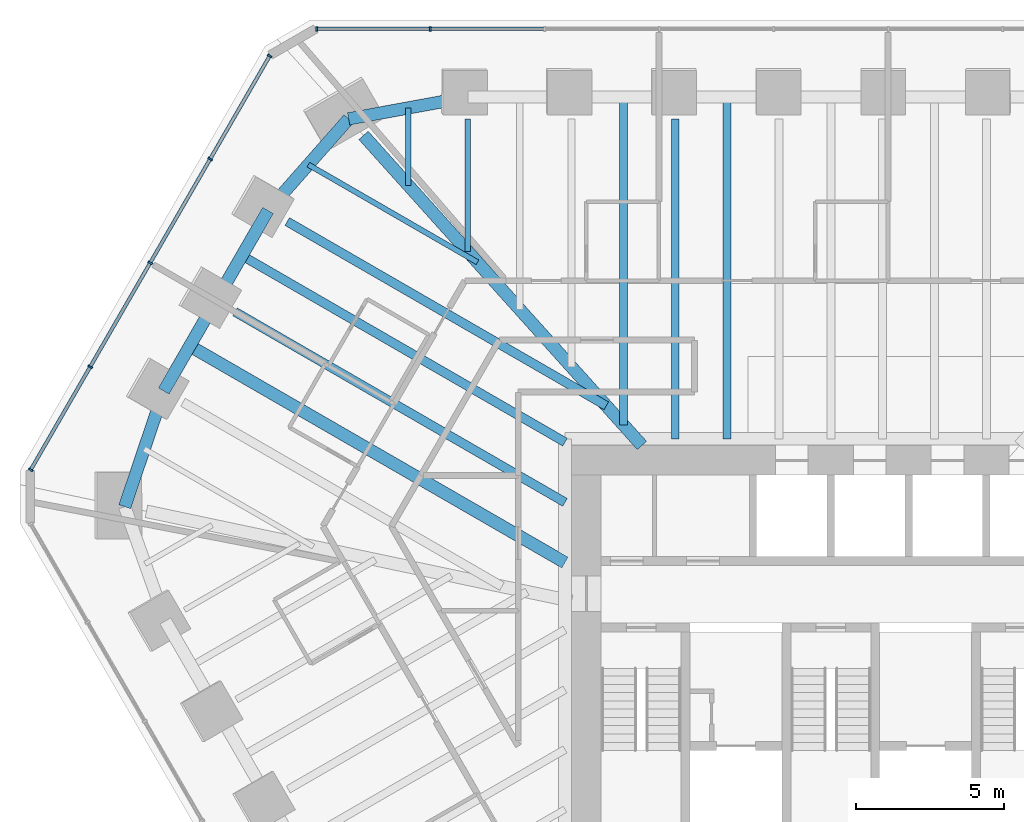
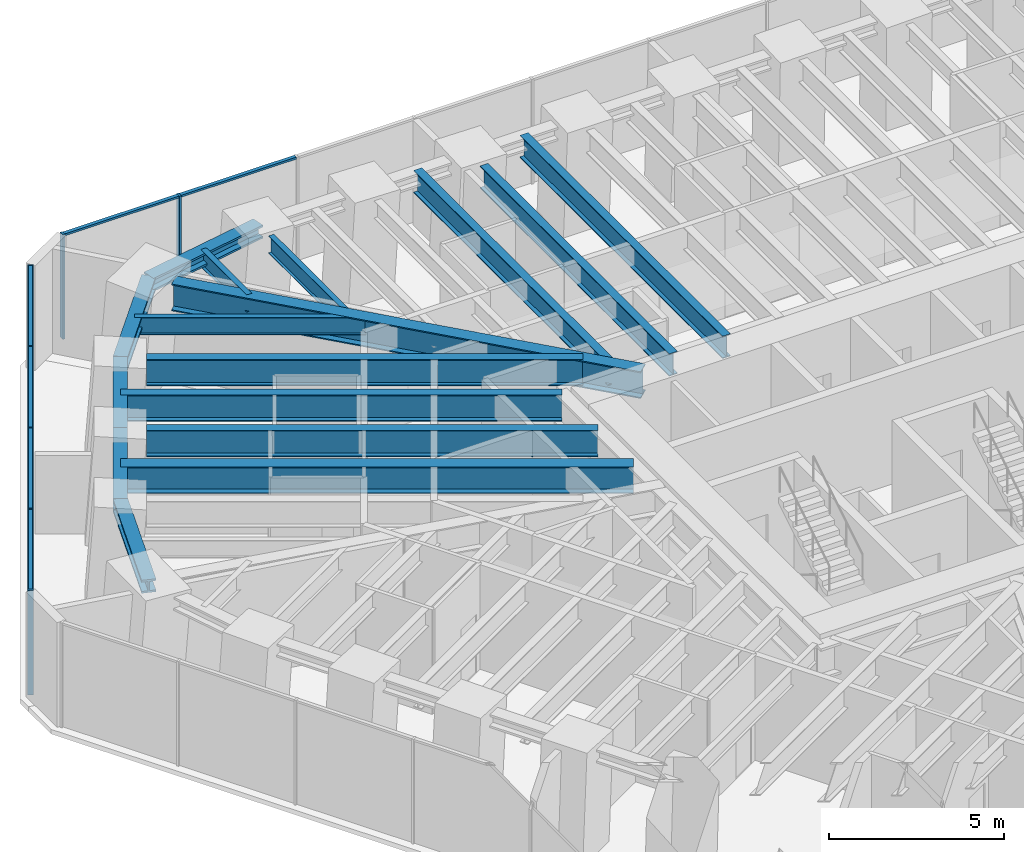
# One storey, part 7 of 16: 16 beams, 13 members, 2 elements without a shape of their own.
"""IFC4 building model written with IfcOpenShell, lengths in metres."""

import ifcopenshell
import ifcopenshell.guid

model = None  # the IFC model being written
_history = None  # IfcOwnerHistory: only IFC2X3 demands one
_inside = {}  # id of a spatial element -> (the spatial element, [elements in it])
_under = {}  # id of a project, library or spatial element -> (it, [spatial elements below it])
_declared = {}  # id of a project -> (the project, [libraries it declares])
_typed = {}  # id of a type object -> (the type object, [elements of that type])
_made_of = {}  # id of a material, layer set ... -> (it, [elements and type objects made of it])


def new_model(schema):
    """Start an empty IFC model of exactly this schema.

    Asked for "IFC4X3", IfcOpenShell would pick the latest addendum, in which some entities
    have other attributes; the version numbers below select the first issue.
    IFC2X3 requires an IfcOwnerHistory on every rooted entity: one is made here for all.
    """
    global model, _history
    if schema == "IFC4X3":
        model = ifcopenshell.file(schema_version=(4, 3, 0, 0))
    else:
        model = ifcopenshell.file(schema=schema)
    _inside.clear()
    _under.clear()
    _declared.clear()
    _typed.clear()
    _made_of.clear()
    _history = None
    if model.schema == "IFC2X3":
        org = make("IfcOrganization", Name="unknown")
        user = make(
            "IfcPersonAndOrganization",
            ThePerson=make("IfcPerson", FamilyName="unknown"),
            TheOrganization=org,
        )
        app = make(
            "IfcApplication",
            ApplicationDeveloper=org,
            Version="unknown",
            ApplicationFullName="unknown",
            ApplicationIdentifier="unknown",
        )
        _history = make(
            "IfcOwnerHistory",
            OwningUser=user,
            OwningApplication=app,
            ChangeAction="ADDED",
            CreationDate=0,
        )
    return model


def make(cls, **values):
    """One entity of the class cls with the attributes given. An attribute that is None is left unset."""
    return model.create_entity(
        cls, **{name: value for name, value in values.items() if value is not None}
    )


def rooted(cls, **values):
    """An entity with a GlobalId (a new one), such as an element, a storey or a relation."""
    return make(cls, GlobalId=ifcopenshell.guid.new(), OwnerHistory=_history, **values)


def si_unit(unit_type, name, prefix=None):
    """IfcSIUnit, for example si_unit("LENGTHUNIT", "METRE", prefix="MILLI")."""
    return make("IfcSIUnit", UnitType=unit_type, Prefix=prefix, Name=name)


def assignment(units):
    """IfcUnitAssignment: the units of a project."""
    return None if units is None else make("IfcUnitAssignment", Units=units)


def point(xyz):
    """IfcCartesianPoint."""
    return None if xyz is None else make("IfcCartesianPoint", Coordinates=xyz)


def direction(xyz):
    """IfcDirection."""
    return None if xyz is None else make("IfcDirection", DirectionRatios=xyz)


def frame(location, z_axis=None, x_axis=None):
    """IfcAxis2Placement3D, a coordinate frame: its origin and axes. An axis left out is left unset."""
    return make(
        "IfcAxis2Placement3D",
        Location=point(location),
        Axis=direction(z_axis),
        RefDirection=direction(x_axis),
    )


def frame_2d(location, x_axis=None):
    """IfcAxis2Placement2D, a coordinate frame in the plane: its origin and x axis."""
    return make(
        "IfcAxis2Placement2D", Location=point(location), RefDirection=direction(x_axis)
    )


def origin():
    """The frame at (0, 0, 0) with its axes left unset."""
    return frame((0.0, 0.0, 0.0))


def origin_2d():
    """The frame at (0, 0) in the plane with its x axis left unset."""
    return frame_2d((0.0, 0.0))


def place(relative_to, where):
    """IfcLocalPlacement: puts the frame where relative to a parent placement (None: the world)."""
    return make(
        "IfcLocalPlacement", PlacementRelTo=relative_to, RelativePlacement=where
    )


def context(
    kind, dimensions, precision=None, world=None, true_north=None, identifier=None
):
    """IfcGeometricRepresentationContext, for example the 3D "Model" context."""
    return make(
        "IfcGeometricRepresentationContext",
        ContextIdentifier=identifier,
        ContextType=kind,
        CoordinateSpaceDimension=dimensions,
        Precision=precision,
        WorldCoordinateSystem=world,
        TrueNorth=true_north,
    )


def subcontext(parent, identifier, kind, view, scale=None):
    """IfcGeometricRepresentationSubContext, for example "Body" below "Model"."""
    return make(
        "IfcGeometricRepresentationSubContext",
        ContextIdentifier=identifier,
        ContextType=kind,
        ParentContext=parent,
        TargetScale=scale,
        TargetView=view,
    )


def project(units=None, contexts=None):
    """IfcProject with its units and contexts."""
    return rooted(
        "IfcProject",
        Name="project",
        RepresentationContexts=contexts,
        UnitsInContext=assignment(units),
    )


def spatial(cls, under=None, at=None, **own):
    """A site, building, storey or space (cls), placed at a placement, below another one or the project."""
    s = rooted(cls, ObjectPlacement=at, **own)
    if under is not None:
        _under.setdefault(under.id(), (under, []))[1].append(s)
    return s


def profile(cls, at=None, kind="AREA", **sizes):
    """A parametric profile (cls). Its sizes go by their IFC names, for example OverallWidth=200.0."""
    return make(cls, ProfileType=kind, Position=at, **sizes)


def rectangle(**sizes):
    """IfcRectangleProfileDef."""
    return profile("IfcRectangleProfileDef", **sizes)


def i_section(**sizes):
    """IfcIShapeProfileDef."""
    return profile("IfcIShapeProfileDef", **sizes)


def extrude(swept, where, along, depth):
    """IfcExtrudedAreaSolid: the profile swept, set in the frame where, extruded along a direction by depth."""
    return make(
        "IfcExtrudedAreaSolid",
        SweptArea=swept,
        Position=where,
        ExtrudedDirection=direction(along),
        Depth=depth,
    )


def shape(context_of_items, identifier, shape_type, items):
    """IfcShapeRepresentation: the items that make up one representation, for example the "Body"."""
    return make(
        "IfcShapeRepresentation",
        ContextOfItems=context_of_items,
        RepresentationIdentifier=identifier,
        RepresentationType=shape_type,
        Items=items,
    )


def material(Name=None, Category=None):
    """IfcMaterial."""
    return make("IfcMaterial", Name=Name, Category=Category)


def material_profile(
    of_material, cross_section, Name=None, Category=None, Priority=None
):
    """IfcMaterialProfile: a cross section and its material."""
    return make(
        "IfcMaterialProfile",
        Name=Name,
        Material=of_material,
        Profile=cross_section,
        Priority=Priority,
        Category=Category,
    )


def profile_set(profiles, Name=None, composite=None):
    """IfcMaterialProfileSet."""
    return make(
        "IfcMaterialProfileSet",
        Name=Name,
        MaterialProfiles=profiles,
        CompositeProfile=composite,
    )


def made_of(thing, what):
    """Note that an element or type object is made of a material, layer set ...; save() writes the relation."""
    if what is not None:
        _made_of.setdefault(what.id(), (what, []))[1].append(thing)
    return thing


def type_object(cls, material=None, **own):
    """A type object (cls), such as IfcWallType, which elements share."""
    return made_of(rooted(cls, **own), material)


def element(
    cls,
    number,
    at=None,
    inside=None,
    cuts=None,
    type_object=None,
    material=None,
    context=None,
    identifier="Body",
    shape_type=None,
    held_by="IfcProductDefinitionShape",
    body=None,
    shapes=None,
    **own,
):
    """One element of the class cls, such as IfcWall. Its Tag is "e" and its number.

    at: its placement. inside: the storey or other place that contains it. cuts: it is an
    opening in that element (IfcRelVoidsElement). A single representation is given by context,
    identifier, shape_type and body (its items); several are given by shapes. held_by: the class
    of the entity that holds the representations. save() writes the other relations.
    """
    e = rooted(cls, Tag="e%d" % number, ObjectPlacement=at, **own)
    if body is not None:
        shapes = [shape(context, identifier, shape_type, body)]
    if shapes is not None:
        e.Representation = make(held_by, Representations=shapes)
    if inside is not None:
        _inside.setdefault(inside.id(), (inside, []))[1].append(e)
    if cuts is not None:
        rooted(
            "IfcRelVoidsElement", RelatingBuildingElement=cuts, RelatedOpeningElement=e
        )
    if type_object is not None:
        _typed.setdefault(type_object.id(), (type_object, []))[1].append(e)
    return made_of(e, material)


def aggregate(whole, parts):
    """IfcRelAggregates: a whole, such as a stair, and the parts it consists of."""
    return rooted("IfcRelAggregates", RelatingObject=whole, RelatedObjects=parts)


def save(model, path):
    """Write the relations noted so far, then the file.

    IfcRelAggregates (storeys below a building ...), IfcRelContainedInSpatialStructure (elements
    in a storey), IfcRelDefinesByType, IfcRelAssociatesMaterial and IfcRelDeclares: one each for
    every whole, place, type object, material and project.
    """
    for whole, parts in _under.values():
        aggregate(whole, parts)
    for where, things in _inside.values():
        rooted(
            "IfcRelContainedInSpatialStructure",
            RelatedElements=things,
            RelatingStructure=where,
        )
    for kind, things in _typed.values():
        rooted("IfcRelDefinesByType", RelatedObjects=things, RelatingType=kind)
    for what, things in _made_of.values():
        rooted("IfcRelAssociatesMaterial", RelatedObjects=things, RelatingMaterial=what)
    for by, libraries in _declared.values():
        rooted("IfcRelDeclares", RelatingContext=by, RelatedDefinitions=libraries)
    model.write(path)


model = new_model("IFC4")

# Units and contexts
model_context = context("Model", 3, precision=1e-05, world=origin(), true_north=direction((0.0, 1.0)))
body_context = subcontext(model_context, "Body", "Model", "MODEL_VIEW")
ifc_project = project(units=[si_unit("LENGTHUNIT", "METRE"), si_unit("AREAUNIT", "SQUARE_METRE"), si_unit("VOLUMEUNIT", "CUBIC_METRE"), si_unit("PLANEANGLEUNIT", "RADIAN"), si_unit("MASSUNIT", "GRAM", prefix="KILO")], contexts=[model_context])

# Site, building, storey
site_placement = place(None, origin())
site = spatial("IfcSite", under=ifc_project, at=site_placement, CompositionType="ELEMENT")
building_placement = place(site_placement, origin())
building = spatial("IfcBuilding", under=site, at=building_placement, Name="Sandreach Pilgrim Tower", CompositionType="ELEMENT")
storey_placement = place(building_placement, frame((0.0, 0.0, 247.800048828125)))
storey = spatial("IfcBuildingStorey", under=building, at=storey_placement, Name="L62", CompositionType="ELEMENT", Elevation=247.800048828125)

# Beams
ifc_material_1 = material(Name="Steel ASTM A913 Grade 65", Category="steel")
ifc_material_profile_1 = material_profile(ifc_material_1, i_section(OverallWidth=0.419189453125, OverallDepth=0.45458984375, WebThickness=0.042236328125, FlangeThickness=0.067626953125, at=origin_2d()), Name="W14X370")
ifc_profile_set_1 = profile_set([ifc_material_profile_1], Name="Steel ASTM A913 Grade 65")
beam_type_1 = type_object("IfcBeamType", Name="Belt truss chord W14X370", PredefinedType="BEAM", material=ifc_profile_set_1)
beam_1_placement = place(storey_placement, frame((-23.832275390625, 5.03173828125, 3.41259765625), z_axis=(0.319550524461, 0.947569238798, 0.0), x_axis=(-0.947569238798, 0.319550524461, 0.0)))
element("IfcBeam", 1, at=beam_1_placement, inside=storey, type_object=beam_type_1, Name="BM L62 BTB35", PredefinedType="BEAM", context=body_context, shape_type="SweptSolid", body=[
    extrude(i_section(OverallWidth=0.419189453125, OverallDepth=0.45458984375, WebThickness=0.042236328125, FlangeThickness=0.067626953125, at=origin_2d()), origin(), (0.0, 0.0, 1.0), 4.11962890625),
])
beam_2_placement = place(storey_placement, frame((-22.515869140625, 8.935302734375, 3.41259765625), z_axis=(0.499988652884, 0.866031954946, 0.0), x_axis=(-0.866031954946, 0.499988652884, 0.0)))
element("IfcBeam", 2, at=beam_2_placement, inside=storey, type_object=beam_type_1, Name="BM L62 BTB36", PredefinedType="BEAM", context=body_context, shape_type="SweptSolid", body=[
    extrude(i_section(OverallWidth=0.419189453125, OverallDepth=0.45458984375, WebThickness=0.042236328125, FlangeThickness=0.067626953125, at=origin_2d()), origin(), (0.0, 0.0, 1.0), 3.51953125),
])
beam_3_placement = place(storey_placement, frame((-20.756103515625, 11.9833984375, 3.41259765625), z_axis=(0.500010639957, 0.866019260715, 0.0), x_axis=(-0.866019260715, 0.500010639957, 0.0)))
element("IfcBeam", 3, at=beam_3_placement, inside=storey, type_object=beam_type_1, Name="BM L62 BTB37", PredefinedType="BEAM", context=body_context, shape_type="SweptSolid", body=[
    extrude(i_section(OverallWidth=0.419189453125, OverallDepth=0.45458984375, WebThickness=0.042236328125, FlangeThickness=0.067626953125, at=origin_2d()), origin(), (0.0, 0.0, 1.0), 3.52001953125),
])
beam_4_placement = place(storey_placement, frame((-18.99609375, 15.03173828125, 3.41259765625), z_axis=(0.660880367939, 0.750491265287, 0.0), x_axis=(-0.750491265287, 0.660880367939, 0.0)))
element("IfcBeam", 4, at=beam_4_placement, inside=storey, type_object=beam_type_1, Name="BM L62 BTB38", PredefinedType="BEAM", context=body_context, shape_type="SweptSolid", body=[
    extrude(i_section(OverallWidth=0.419189453125, OverallDepth=0.45458984375, WebThickness=0.042236328125, FlangeThickness=0.067626953125, at=origin_2d()), origin(), (0.0, 0.0, 1.0), 4.119384765625),
])
beam_5_placement = place(storey_placement, frame((-16.273681640625, 18.123291015625, 3.41259765625), z_axis=(0.983586089389, 0.180439476724, 0.0), x_axis=(-0.180439476724, 0.983586089389, 0.0)))
element("IfcBeam", 5, at=beam_5_placement, inside=storey, type_object=beam_type_1, Name="BM L62 BTB39", PredefinedType="BEAM", context=body_context, shape_type="SweptSolid", body=[
    extrude(i_section(OverallWidth=0.419189453125, OverallDepth=0.45458984375, WebThickness=0.042236328125, FlangeThickness=0.067626953125, at=origin_2d()), origin(), (0.0, 0.0, 1.0), 4.091552734375),
])

# Curtain wall, members
ifc_material_2 = material(Name="Aluminium framed curtain wall", Category="aluminium")
curtain_wall_type = type_object("IfcCurtainWallType", Name="Upper hotel tower curtain wall", PredefinedType="NOTDEFINED", material=ifc_material_2)
curtain_wall_1_placement = place(storey_placement, origin())
curtain_wall_1 = element("IfcCurtainWall", 6, at=curtain_wall_1_placement, inside=storey, type_object=curtain_wall_type, Name="CW-3 L62 N", PredefinedType="NOTDEFINED")
ifc_material_3 = material(Name="Aluminium extrusion", Category="aluminium")
ifc_material_profile_2 = material_profile(ifc_material_3, rectangle(XDim=0.06494140625, YDim=0.159912109375, at=origin_2d()), Name="CW-3M 65X160")
ifc_profile_set_2 = profile_set([ifc_material_profile_2], Name="Aluminium extrusion")
member_type_1 = type_object("IfcMemberType", Name="CW-3 mullion", PredefinedType="MULLION", material=ifc_profile_set_2)
member_1_placement = place(storey_placement, frame((-17.357421875, 21.16015625, 0.0), z_axis=(0.0, 0.0, 1.0), x_axis=(1.0, 0.0, 0.0)))
member_1 = element("IfcMember", 7, at=member_1_placement, type_object=member_type_1, Name="CW-3 mullion 1", PredefinedType="MULLION", context=body_context, shape_type="SweptSolid", body=[
    extrude(rectangle(XDim=0.06494140625, YDim=0.159912109375, at=origin_2d()), origin(), (0.0, 0.0, 1.0), 3.639892578125),
])
member_2_placement = place(storey_placement, frame((-13.525390625, 21.16015625, 0.0), z_axis=(0.0, 0.0, 1.0), x_axis=(1.0, 0.0, 0.0)))
member_2 = element("IfcMember", 8, at=member_2_placement, type_object=member_type_1, Name="CW-3 mullion 2", PredefinedType="MULLION", context=body_context, shape_type="SweptSolid", body=[
    extrude(rectangle(XDim=0.06494140625, YDim=0.159912109375, at=origin_2d()), origin(), (0.0, 0.0, 1.0), 3.639892578125),
])

curtain_wall_2_placement = place(storey_placement, origin())
curtain_wall_2 = element("IfcCurtainWall", 9, at=curtain_wall_2_placement, inside=storey, type_object=curtain_wall_type, Name="CW-3 L62 NW", PredefinedType="NOTDEFINED")
member_3_placement = place(storey_placement, frame((-27.00390625, 6.278076171875, 0.0), z_axis=(0.0, 0.0, 1.0), x_axis=(0.5, 0.866025403784, 0.0)))
member_3 = element("IfcMember", 10, at=member_3_placement, type_object=member_type_1, Name="CW-3 mullion 1", PredefinedType="MULLION", context=body_context, shape_type="SweptSolid", body=[
    extrude(rectangle(XDim=0.06494140625, YDim=0.159912109375, at=origin_2d()), origin(), (0.0, 0.0, 1.0), 3.639892578125),
])
member_4_placement = place(storey_placement, frame((-24.995849609375, 9.75634765625, 0.0), z_axis=(0.0, 0.0, 1.0), x_axis=(0.5, 0.866025403784, 0.0)))
member_4 = element("IfcMember", 11, at=member_4_placement, type_object=member_type_1, Name="CW-3 mullion 2", PredefinedType="MULLION", context=body_context, shape_type="SweptSolid", body=[
    extrude(rectangle(XDim=0.06494140625, YDim=0.159912109375, at=origin_2d()), origin(), (0.0, 0.0, 1.0), 3.639892578125),
])
member_5_placement = place(storey_placement, frame((-22.971435546875, 13.262451171875, 0.0), z_axis=(0.0, 0.0, 1.0), x_axis=(0.5, 0.866025403784, 0.0)))
member_5 = element("IfcMember", 12, at=member_5_placement, type_object=member_type_1, Name="CW-3 mullion 3", PredefinedType="MULLION", context=body_context, shape_type="SweptSolid", body=[
    extrude(rectangle(XDim=0.06494140625, YDim=0.159912109375, at=origin_2d()), origin(), (0.0, 0.0, 1.0), 3.639892578125),
])
member_6_placement = place(storey_placement, frame((-20.947021484375, 16.768798828125, 0.0), z_axis=(0.0, 0.0, 1.0), x_axis=(0.5, 0.866025403784, 0.0)))
member_6 = element("IfcMember", 13, at=member_6_placement, type_object=member_type_1, Name="CW-3 mullion 4", PredefinedType="MULLION", context=body_context, shape_type="SweptSolid", body=[
    extrude(rectangle(XDim=0.06494140625, YDim=0.159912109375, at=origin_2d()), origin(), (0.0, 0.0, 1.0), 3.639892578125),
])
member_7_placement = place(storey_placement, frame((-18.93896484375, 20.2470703125, 0.0), z_axis=(0.0, 0.0, 1.0), x_axis=(0.5, 0.866025403784, 0.0)))
member_7 = element("IfcMember", 14, at=member_7_placement, type_object=member_type_1, Name="CW-3 mullion 5", PredefinedType="MULLION", context=body_context, shape_type="SweptSolid", body=[
    extrude(rectangle(XDim=0.06494140625, YDim=0.159912109375, at=origin_2d()), origin(), (0.0, 0.0, 1.0), 3.639892578125),
])

# Member
ifc_material_4 = material(Name="Aluminium extrusion", Category="aluminium")
ifc_material_profile_3 = material_profile(ifc_material_4, rectangle(XDim=0.1201171875, YDim=0.070068359375, at=origin_2d()), Name="CW-3T 120X70")
ifc_profile_set_3 = profile_set([ifc_material_profile_3], Name="Aluminium extrusion")
member_type_2 = type_object("IfcMemberType", Name="CW-3 transom", PredefinedType="USERDEFINED", material=ifc_profile_set_3)
member_8_placement = place(storey_placement, frame((-17.324951171875, 21.16015625, 3.60498046875), z_axis=(1.0, 0.0, 0.0), x_axis=(0.0, 1.0, 0.0)))
member_8 = element("IfcMember", 15, at=member_8_placement, type_object=member_type_2, Name="CW-3 head transom 1", ObjectType="TRANSOM", PredefinedType="USERDEFINED", context=body_context, shape_type="SweptSolid", body=[
    extrude(rectangle(XDim=0.1201171875, YDim=0.070068359375, at=origin_2d()), origin(), (0.0, 0.0, 1.0), 3.76708984375),
])

member_9_placement = place(storey_placement, frame((-13.492919921875, 21.16015625, 3.60498046875), z_axis=(1.0, 0.0, 0.0), x_axis=(0.0, 1.0, 0.0)))
member_9 = element("IfcMember", 16, at=member_9_placement, type_object=member_type_2, Name="CW-3 head transom 2", ObjectType="TRANSOM", PredefinedType="USERDEFINED", context=body_context, shape_type="SweptSolid", body=[
    extrude(rectangle(XDim=0.1201171875, YDim=0.070068359375, at=origin_2d()), origin(), (0.0, 0.0, 1.0), 3.79931640625),
])

aggregate(curtain_wall_1, [member_1, member_2, member_8, member_9])

member_10_placement = place(storey_placement, frame((-26.987548828125, 6.306396484375, 3.60498046875), z_axis=(0.499993448556, 0.866029186229, 0.0), x_axis=(-0.866029186229, 0.499993448556, 0.0)))
member_10 = element("IfcMember", 17, at=member_10_placement, type_object=member_type_2, Name="CW-3 head transom 1", ObjectType="TRANSOM", PredefinedType="USERDEFINED", context=body_context, shape_type="SweptSolid", body=[
    extrude(rectangle(XDim=0.1201171875, YDim=0.070068359375, at=origin_2d()), origin(), (0.0, 0.0, 1.0), 3.951171875),
])

member_11_placement = place(storey_placement, frame((-24.9794921875, 9.784423828125, 3.60498046875), z_axis=(0.499975332564, 0.866039645067, 0.0), x_axis=(-0.866039645067, 0.499975332564, 0.0)))
member_11 = element("IfcMember", 18, at=member_11_placement, type_object=member_type_2, Name="CW-3 head transom 2", ObjectType="TRANSOM", PredefinedType="USERDEFINED", context=body_context, shape_type="SweptSolid", body=[
    extrude(rectangle(XDim=0.1201171875, YDim=0.070068359375, at=origin_2d()), origin(), (0.0, 0.0, 1.0), 3.983642578125),
])

member_12_placement = place(storey_placement, frame((-22.955078125, 13.290771484375, 3.60498046875), z_axis=(0.499975332564, 0.866039645067, 0.0), x_axis=(-0.866039645067, 0.499975332564, 0.0)))
member_12 = element("IfcMember", 19, at=member_12_placement, type_object=member_type_2, Name="CW-3 head transom 3", ObjectType="TRANSOM", PredefinedType="USERDEFINED", context=body_context, shape_type="SweptSolid", body=[
    extrude(rectangle(XDim=0.1201171875, YDim=0.070068359375, at=origin_2d()), origin(), (0.0, 0.0, 1.0), 3.983642578125),
])

member_13_placement = place(storey_placement, frame((-20.930908203125, 16.796875, 3.60498046875), z_axis=(0.499993448556, 0.866029186229, 0.0), x_axis=(-0.866029186229, 0.499993448556, 0.0)))
member_13 = element("IfcMember", 20, at=member_13_placement, type_object=member_type_2, Name="CW-3 head transom 4", ObjectType="TRANSOM", PredefinedType="USERDEFINED", context=body_context, shape_type="SweptSolid", body=[
    extrude(rectangle(XDim=0.1201171875, YDim=0.070068359375, at=origin_2d()), origin(), (0.0, 0.0, 1.0), 3.951171875),
])

aggregate(curtain_wall_2, [member_3, member_4, member_5, member_6, member_7, member_10, member_11, member_12, member_13])

# Beams
ifc_material_5 = material(Name="Steel ASTM A992 Grade 50", Category="steel")
ifc_material_profile_4 = material_profile(ifc_material_5, i_section(OverallWidth=0.421630859375, OverallDepth=0.937255859375, WebThickness=0.0224609375, FlangeThickness=0.039794921875, at=origin_2d()), Name="W36X282")
ifc_profile_set_4 = profile_set([ifc_material_profile_4], Name="Steel ASTM A992 Grade 50")
beam_type_2 = type_object("IfcBeamType", Name="Corner girder W36X282", PredefinedType="BEAM", material=ifc_profile_set_4)
beam_6_placement = place(storey_placement, frame((-15.772705078125, 17.5654296875, 3.17138671875), z_axis=(0.668116548622, -0.744056635921, 0.0), x_axis=(0.744056635921, 0.668116548622, 0.0)))
element("IfcBeam", 21, at=beam_6_placement, inside=storey, type_object=beam_type_2, Name="BM L62 CG39", PredefinedType="BEAM", context=body_context, shape_type="SweptSolid", body=[
    extrude(i_section(OverallWidth=0.421630859375, OverallDepth=0.937255859375, WebThickness=0.0224609375, FlangeThickness=0.039794921875, at=origin_2d()), origin(), (0.0, 0.0, 1.0), 14.065185546875),
])
ifc_material_6 = material(Name="Steel ASTM A992 Grade 50", Category="steel")
ifc_material_profile_5 = material_profile(ifc_material_6, i_section(OverallWidth=0.1787109375, OverallDepth=0.60205078125, WebThickness=0.010986328125, FlangeThickness=0.014892578125, at=origin_2d()), Name="W24X62")
ifc_profile_set_5 = profile_set([ifc_material_profile_5], Name="Steel ASTM A992 Grade 50")
beam_type_3 = type_object("IfcBeamType", Name="Floor beam W24X62", PredefinedType="BEAM", material=ifc_profile_set_5)
beam_7_placement = place(storey_placement, frame((-12.249267578125, 18.111572265625, 3.3388671875), z_axis=(0.0, -1.0, 0.0), x_axis=(1.0, 0.0, 0.0)))
element("IfcBeam", 22, at=beam_7_placement, inside=storey, type_object=beam_type_3, Name="BM L62 F01", PredefinedType="BEAM", context=body_context, shape_type="SweptSolid", body=[
    extrude(i_section(OverallWidth=0.1787109375, OverallDepth=0.60205078125, WebThickness=0.010986328125, FlangeThickness=0.014892578125, at=origin_2d()), origin(), (0.0, 0.0, 1.0), 4.469970703125),
])
beam_8_placement = place(storey_placement, frame((-17.635009765625, 16.57763671875, 3.3388671875), z_axis=(0.866021534058, -0.500006702503, 0.0), x_axis=(0.500006702503, 0.866021534058, 0.0)))
element("IfcBeam", 23, at=beam_8_placement, inside=storey, type_object=beam_type_3, Name="BM L62 FM38", PredefinedType="BEAM", context=body_context, shape_type="SweptSolid", body=[
    extrude(i_section(OverallWidth=0.1787109375, OverallDepth=0.60205078125, WebThickness=0.010986328125, FlangeThickness=0.014892578125, at=origin_2d()), origin(), (0.0, 0.0, 1.0), 6.59228515625),
])
beam_9_placement = place(storey_placement, frame((-14.261474609375, 18.492431640625, 3.3388671875), z_axis=(0.0, -1.0, 0.0), x_axis=(1.0, 0.0, 0.0)))
element("IfcBeam", 24, at=beam_9_placement, inside=storey, type_object=beam_type_3, Name="BM L62 FM39", PredefinedType="BEAM", context=body_context, shape_type="SweptSolid", body=[
    extrude(i_section(OverallWidth=0.1787109375, OverallDepth=0.60205078125, WebThickness=0.010986328125, FlangeThickness=0.014892578125, at=origin_2d()), origin(), (0.0, 0.0, 1.0), 2.60986328125),
])
ifc_material_7 = material(Name="Steel ASTM A992 Grade 50", Category="steel")
ifc_material_profile_6 = material_profile(ifc_material_7, i_section(OverallWidth=0.2666015625, OverallDepth=0.77978515625, WebThickness=0.0166015625, FlangeThickness=0.030029296875, at=origin_2d()), Name="W30X148")
ifc_profile_set_6 = profile_set([ifc_material_profile_6], Name="Steel ASTM A992 Grade 50")
beam_type_4 = type_object("IfcBeamType", Name="Floor beam W30X148", PredefinedType="BEAM", material=ifc_profile_set_6)
beam_10_placement = place(storey_placement, frame((-5.249755859375, 18.111572265625, 3.25), z_axis=(0.0, -1.0, 0.0), x_axis=(1.0, 0.0, 0.0)))
element("IfcBeam", 25, at=beam_10_placement, inside=storey, type_object=beam_type_4, Name="BM L62 F03", PredefinedType="BEAM", context=body_context, shape_type="SweptSolid", body=[
    extrude(i_section(OverallWidth=0.2666015625, OverallDepth=0.77978515625, WebThickness=0.0166015625, FlangeThickness=0.030029296875, at=origin_2d()), origin(), (0.0, 0.0, 1.0), 10.78955078125),
])
beam_11_placement = place(storey_placement, frame((-6.99951171875, 18.861572265625, 3.25), z_axis=(0.0, -1.0, 0.0), x_axis=(1.0, 0.0, 0.0)))
element("IfcBeam", 26, at=beam_11_placement, inside=storey, type_object=beam_type_4, Name="BM L62 FM02", PredefinedType="BEAM", context=body_context, shape_type="SweptSolid", body=[
    extrude(i_section(OverallWidth=0.2666015625, OverallDepth=0.77978515625, WebThickness=0.0166015625, FlangeThickness=0.030029296875, at=origin_2d()), origin(), (0.0, 0.0, 1.0), 11.06640625),
])
beam_12_placement = place(storey_placement, frame((-3.499755859375, 18.861572265625, 3.25), z_axis=(0.0, -1.0, 0.0), x_axis=(1.0, 0.0, 0.0)))
element("IfcBeam", 27, at=beam_12_placement, inside=storey, type_object=beam_type_4, Name="BM L62 FM03", PredefinedType="BEAM", context=body_context, shape_type="SweptSolid", body=[
    extrude(i_section(OverallWidth=0.2666015625, OverallDepth=0.77978515625, WebThickness=0.0166015625, FlangeThickness=0.030029296875, at=origin_2d()), origin(), (0.0, 0.0, 1.0), 11.53955078125),
])
ifc_material_8 = material(Name="Steel ASTM A992 Grade 50", Category="steel")
ifc_material_profile_7 = material_profile(ifc_material_8, i_section(OverallWidth=0.3046875, OverallDepth=0.914306640625, WebThickness=0.0166015625, FlangeThickness=0.02587890625, at=origin_2d()), Name="W36X160")
ifc_profile_set_7 = profile_set([ifc_material_profile_7], Name="Steel ASTM A992 Grade 50")
beam_type_5 = type_object("IfcBeamType", Name="Floor beam W36X160", PredefinedType="BEAM", material=ifc_profile_set_7)
beam_13_placement = place(storey_placement, frame((-20.1064453125, 11.6083984375, 3.182861328125), z_axis=(0.866022413849, -0.500005178684, 0.0), x_axis=(0.500005178684, 0.866022413849, 0.0)))
element("IfcBeam", 28, at=beam_13_placement, inside=storey, type_object=beam_type_5, Name="BM L62 F37", PredefinedType="BEAM", context=body_context, shape_type="SweptSolid", body=[
    extrude(i_section(OverallWidth=0.3046875, OverallDepth=0.914306640625, WebThickness=0.0166015625, FlangeThickness=0.02587890625, at=origin_2d()), origin(), (0.0, 0.0, 1.0), 12.856689453125),
])
beam_14_placement = place(storey_placement, frame((-18.3466796875, 14.65673828125, 3.182861328125), z_axis=(0.866023411571, -0.5000034506, 0.0), x_axis=(0.5000034506, 0.866023411571, 0.0)))
element("IfcBeam", 29, at=beam_14_placement, inside=storey, type_object=beam_type_5, Name="BM L62 F38", PredefinedType="BEAM", context=body_context, shape_type="SweptSolid", body=[
    extrude(i_section(OverallWidth=0.3046875, OverallDepth=0.914306640625, WebThickness=0.0166015625, FlangeThickness=0.02587890625, at=origin_2d()), origin(), (0.0, 0.0, 1.0), 12.4345703125),
])
beam_15_placement = place(storey_placement, frame((-19.8759765625, 13.507568359375, 3.182861328125), z_axis=(0.866022194024, -0.500005559427, 0.0), x_axis=(0.500005559427, 0.866022194024, 0.0)))
element("IfcBeam", 30, at=beam_15_placement, inside=storey, type_object=beam_type_5, Name="BM L62 FM37", PredefinedType="BEAM", context=body_context, shape_type="SweptSolid", body=[
    extrude(i_section(OverallWidth=0.3046875, OverallDepth=0.914306640625, WebThickness=0.0166015625, FlangeThickness=0.02587890625, at=origin_2d()), origin(), (0.0, 0.0, 1.0), 12.590576171875),
])
ifc_material_9 = material(Name="Steel ASTM A992 Grade 50", Category="steel")
ifc_material_profile_8 = material_profile(ifc_material_9, i_section(OverallWidth=0.419189453125, OverallDepth=0.927001953125, WebThickness=0.019287109375, FlangeThickness=0.031982421875, at=origin_2d()), Name="W36X231")
ifc_profile_set_8 = profile_set([ifc_material_profile_8], Name="Steel ASTM A992 Grade 50")
beam_type_6 = type_object("IfcBeamType", Name="Floor beam W36X231", PredefinedType="BEAM", material=ifc_profile_set_8)
beam_16_placement = place(storey_placement, frame((-21.635986328125, 10.45947265625, 3.176513671875), z_axis=(0.86602349385, -0.500003308088, 0.0), x_axis=(0.500003308088, 0.86602349385, 0.0)))
element("IfcBeam", 31, at=beam_16_placement, inside=storey, type_object=beam_type_6, Name="BM L62 FM36", PredefinedType="BEAM", context=body_context, shape_type="SweptSolid", body=[
    extrude(i_section(OverallWidth=0.419189453125, OverallDepth=0.927001953125, WebThickness=0.019287109375, FlangeThickness=0.031982421875, at=origin_2d()), origin(), (0.0, 0.0, 1.0), 14.623046875),
])

save(model, "model.ifc")
